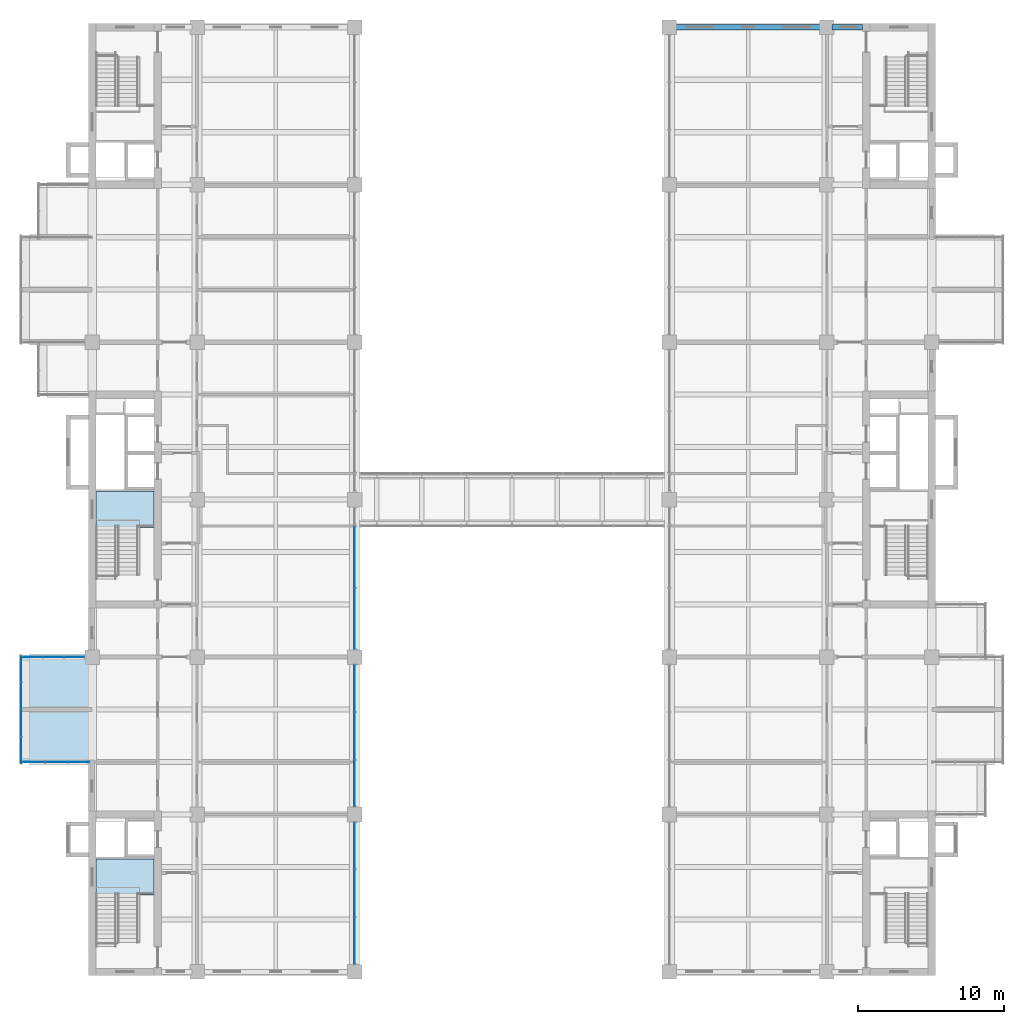
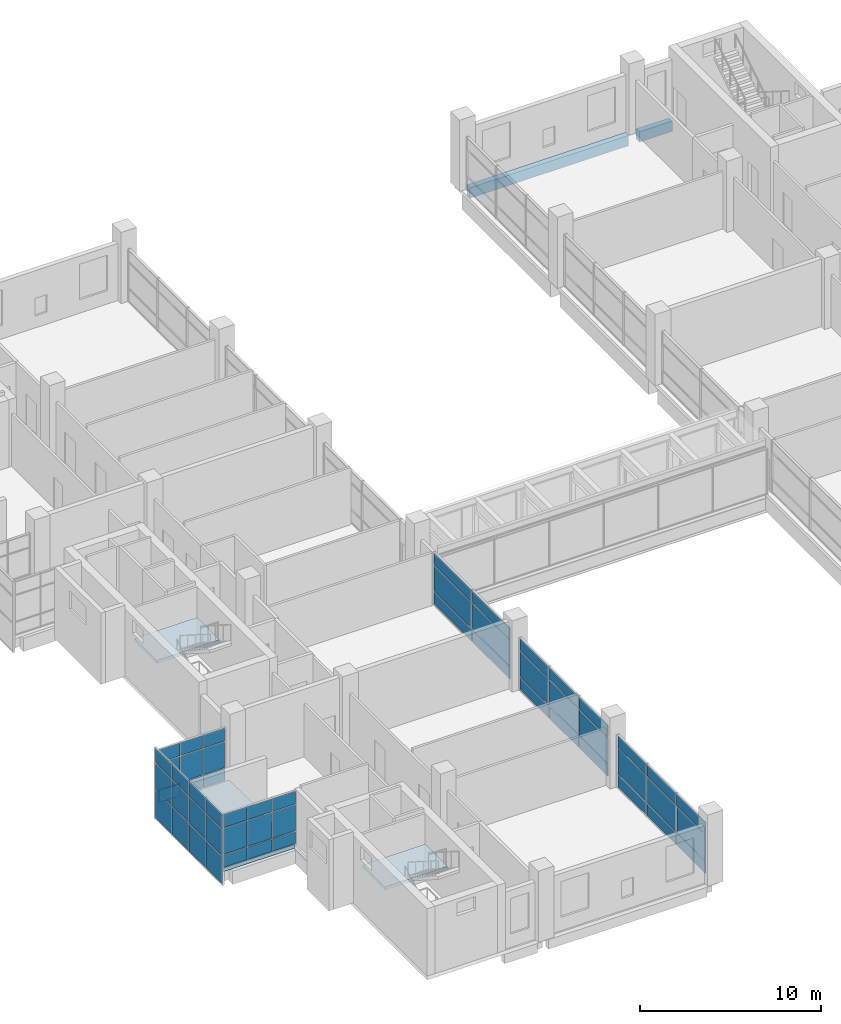
# One storey, part 20 of 35: 54 plates, 3 slabs, 2 beams, 8 elements without a shape of their own.
"""IFC4 building model written with IfcOpenShell, lengths in metres."""

from ifc_helpers import new_model, si_unit, direction, frame, origin, origin_2d, place, context, subcontext, project, spatial, polyline, rectangle, outline, extrude, material, layer, layer_set, material_profile, profile_set, type_object, element, aggregate, save


model = new_model("IFC4")

# Units and contexts
model_context = context("Model", 3, precision=1e-05, world=origin(), true_north=direction((0.0, 1.0)))
body_context = subcontext(model_context, "Body", "Model", "MODEL_VIEW")
ifc_project = project(units=[si_unit("LENGTHUNIT", "METRE"), si_unit("AREAUNIT", "SQUARE_METRE"), si_unit("VOLUMEUNIT", "CUBIC_METRE"), si_unit("PLANEANGLEUNIT", "RADIAN"), si_unit("MASSUNIT", "GRAM", prefix="KILO")], contexts=[model_context])

# Site, building, storey
site_placement = place(None, origin())
site = spatial("IfcSite", under=ifc_project, at=site_placement, CompositionType="ELEMENT")
building_placement = place(site_placement, origin())
building = spatial("IfcBuilding", under=site, at=building_placement, Name="Basin Gate Institute", CompositionType="ELEMENT")
storey_placement = place(building_placement, frame((0.0, 0.0, 31.800048828125)))
storey = spatial("IfcBuildingStorey", under=building, at=storey_placement, Name="L06", CompositionType="ELEMENT", Elevation=31.800048828125)

# Beams
ifc_material_1 = material(Name="Concrete 40 MPa", Category="concrete")
ifc_material_profile = material_profile(ifc_material_1, rectangle(XDim=0.35009765625, YDim=0.699951171875, at=origin_2d()), Name="Beam B1 350 x 700")
ifc_profile_set = profile_set([ifc_material_profile], Name="Concrete 40 MPa")
beam_type = type_object("IfcBeamType", Name="Beam B1 R120", PredefinedType="BEAM", material=ifc_profile_set)
beam_1_placement = place(storey_placement, frame((111.25, 99.89990234375, -0.60009765625), z_axis=(-1.0, 0.0, 0.0), x_axis=(0.0, -1.0, 0.0)))
element("IfcBeam", 1, at=beam_1_placement, inside=storey, type_object=beam_type, material=ifc_profile_set, Name="BEAM/L06/E/EW/19", PredefinedType="BEAM", context=body_context, shape_type="SweptSolid", body=[
    extrude(rectangle(XDim=0.35009765625, YDim=0.699951171875, at=origin_2d()), origin(), (0.0, 0.0, 1.0), 10.10009765625),
])
beam_2_placement = place(storey_placement, frame((114.050048828125, 99.89990234375, -0.60009765625), z_axis=(-1.0, 0.0, 0.0), x_axis=(0.0, -1.0, 0.0)))
element("IfcBeam", 2, at=beam_2_placement, inside=storey, type_object=beam_type, material=ifc_profile_set, Name="BEAM/L06/E/CORR/19", PredefinedType="BEAM", context=body_context, shape_type="SweptSolid", body=[
    extrude(rectangle(XDim=0.35009765625, YDim=0.699951171875, at=origin_2d()), origin(), (0.0, 0.0, 1.0), 2.10009765625),
])

# Slab
ifc_material_2 = material(Name="Concrete 40 MPa", Category="concrete")
ifc_layer_1 = layer(ifc_material_2, 0.25)
ifc_layer_set_1 = layer_set([ifc_layer_1], Name="Concrete 40 MPa")
slab_type_1 = type_object("IfcSlabType", Name="Slab SL4 R120", PredefinedType="FLOOR", material=ifc_layer_set_1)
slab_1_placement = place(storey_placement, frame((0.0, 0.0, -0.25)))
element("IfcSlab", 3, at=slab_1_placement, inside=storey, type_object=slab_type_1, material=ifc_layer_set_1, Name="SLAB/L06/WK12", PredefinedType="FLOOR", context=body_context, shape_type="SweptSolid", body=[
    extrude(outline(polyline([(60.949951171875, 49.5), (56.39990234375, 49.5), (56.39990234375, 56.699951171875), (60.949951171875, 56.699951171875), (60.949951171875, 49.5)])), origin(), (0.0, 0.0, 1.0), 0.25),
])

# Curtain wall, plates
ifc_material_3 = material(Name="Aluminium-framed glazing", Category="aluminium")
ifc_layer_2 = layer(ifc_material_3, 0.199951171875)
ifc_layer_set_2 = layer_set([ifc_layer_2], Name="Atrium curtain wall CW2")
curtain_wall_type_1 = type_object("IfcCurtainWallType", Name="Atrium curtain wall CW2", PredefinedType="NOTDEFINED", material=ifc_layer_set_2)
curtain_wall_1_placement = place(storey_placement, origin())
curtain_wall_1 = element("IfcCurtainWall", 4, at=curtain_wall_1_placement, inside=storey, type_object=curtain_wall_type_1, material=ifc_layer_set_2, Name="Atrium curtain wall W wing atrium bay 1 L06", PredefinedType="NOTDEFINED")
ifc_material_4 = material(Name="Aluminium insulated spandrel panel", Category="aluminium")
ifc_layer_3 = layer(ifc_material_4, 0.050048828125)
ifc_layer_set_3 = layer_set([ifc_layer_3], Name="Spandrel panel PN2")
plate_type_1 = type_object("IfcPlateType", Name="Spandrel panel PN2", PredefinedType="CURTAIN_PANEL", material=ifc_layer_set_3)
plate_1_placement = place(storey_placement, frame((79.199951171875, 37.248291015625, 0.059814453125), z_axis=(0.0, 0.0, 1.0), x_axis=(0.0, 1.0, 0.0)))
plate_1 = element("IfcPlate", 5, at=plate_1_placement, type_object=plate_type_1, material=ifc_layer_set_3, Name="CW2 spandrel panel 1.1", PredefinedType="CURTAIN_PANEL", context=body_context, shape_type="SweptSolid", body=[
    extrude(rectangle(XDim=3.1767578125, YDim=0.050048828125, at=origin_2d()), origin(), (0.0, 0.0, 1.0), 0.81005859375),
])
plate_2_placement = place(storey_placement, frame((79.199951171875, 37.248291015625, 2.72998046875), z_axis=(0.0, 0.0, 1.0), x_axis=(0.0, 1.0, 0.0)))
plate_2 = element("IfcPlate", 6, at=plate_2_placement, type_object=plate_type_1, material=ifc_layer_set_3, Name="CW2 spandrel panel 1.3", PredefinedType="CURTAIN_PANEL", context=body_context, shape_type="SweptSolid", body=[
    extrude(rectangle(XDim=3.1767578125, YDim=0.050048828125, at=origin_2d()), origin(), (0.0, 0.0, 1.0), 0.760009765625),
])
plate_3_placement = place(storey_placement, frame((79.199951171875, 40.5, 0.059814453125), z_axis=(0.0, 0.0, 1.0), x_axis=(0.0, 1.0, 0.0)))
plate_3 = element("IfcPlate", 7, at=plate_3_placement, type_object=plate_type_1, material=ifc_layer_set_3, Name="CW2 spandrel panel 2.1", PredefinedType="CURTAIN_PANEL", context=body_context, shape_type="SweptSolid", body=[
    extrude(rectangle(XDim=3.206787109375, YDim=0.050048828125, at=origin_2d()), origin(), (0.0, 0.0, 1.0), 0.81005859375),
])
plate_4_placement = place(storey_placement, frame((79.199951171875, 40.5, 2.72998046875), z_axis=(0.0, 0.0, 1.0), x_axis=(0.0, 1.0, 0.0)))
plate_4 = element("IfcPlate", 8, at=plate_4_placement, type_object=plate_type_1, material=ifc_layer_set_3, Name="CW2 spandrel panel 2.3", PredefinedType="CURTAIN_PANEL", context=body_context, shape_type="SweptSolid", body=[
    extrude(rectangle(XDim=3.206787109375, YDim=0.050048828125, at=origin_2d()), origin(), (0.0, 0.0, 1.0), 0.760009765625),
])
plate_5_placement = place(storey_placement, frame((79.199951171875, 43.751708984375, 0.059814453125), z_axis=(0.0, 0.0, 1.0), x_axis=(0.0, 1.0, 0.0)))
plate_5 = element("IfcPlate", 9, at=plate_5_placement, type_object=plate_type_1, material=ifc_layer_set_3, Name="CW2 spandrel panel 3.1", PredefinedType="CURTAIN_PANEL", context=body_context, shape_type="SweptSolid", body=[
    extrude(rectangle(XDim=3.1767578125, YDim=0.050048828125, at=origin_2d()), origin(), (0.0, 0.0, 1.0), 0.81005859375),
])
plate_6_placement = place(storey_placement, frame((79.199951171875, 43.751708984375, 2.72998046875), z_axis=(0.0, 0.0, 1.0), x_axis=(0.0, 1.0, 0.0)))
plate_6 = element("IfcPlate", 10, at=plate_6_placement, type_object=plate_type_1, material=ifc_layer_set_3, Name="CW2 spandrel panel 3.3", PredefinedType="CURTAIN_PANEL", context=body_context, shape_type="SweptSolid", body=[
    extrude(rectangle(XDim=3.1767578125, YDim=0.050048828125, at=origin_2d()), origin(), (0.0, 0.0, 1.0), 0.760009765625),
])

curtain_wall_2_placement = place(storey_placement, origin())
curtain_wall_2 = element("IfcCurtainWall", 11, at=curtain_wall_2_placement, inside=storey, type_object=curtain_wall_type_1, material=ifc_layer_set_2, Name="Atrium curtain wall W wing atrium bay 2 L06", PredefinedType="NOTDEFINED")
plate_7_placement = place(storey_placement, frame((79.199951171875, 48.04833984375, 0.059814453125), z_axis=(0.0, 0.0, 1.0), x_axis=(0.0, 1.0, 0.0)))
plate_7 = element("IfcPlate", 12, at=plate_7_placement, type_object=plate_type_1, material=ifc_layer_set_3, Name="CW2 spandrel panel 1.1", PredefinedType="CURTAIN_PANEL", context=body_context, shape_type="SweptSolid", body=[
    extrude(rectangle(XDim=3.1767578125, YDim=0.050048828125, at=origin_2d()), origin(), (0.0, 0.0, 1.0), 0.81005859375),
])
plate_8_placement = place(storey_placement, frame((79.199951171875, 48.04833984375, 2.72998046875), z_axis=(0.0, 0.0, 1.0), x_axis=(0.0, 1.0, 0.0)))
plate_8 = element("IfcPlate", 13, at=plate_8_placement, type_object=plate_type_1, material=ifc_layer_set_3, Name="CW2 spandrel panel 1.3", PredefinedType="CURTAIN_PANEL", context=body_context, shape_type="SweptSolid", body=[
    extrude(rectangle(XDim=3.1767578125, YDim=0.050048828125, at=origin_2d()), origin(), (0.0, 0.0, 1.0), 0.760009765625),
])
plate_9_placement = place(storey_placement, frame((79.199951171875, 51.300048828125, 0.059814453125), z_axis=(0.0, 0.0, 1.0), x_axis=(0.0, 1.0, 0.0)))
plate_9 = element("IfcPlate", 14, at=plate_9_placement, type_object=plate_type_1, material=ifc_layer_set_3, Name="CW2 spandrel panel 2.1", PredefinedType="CURTAIN_PANEL", context=body_context, shape_type="SweptSolid", body=[
    extrude(rectangle(XDim=3.206787109375, YDim=0.050048828125, at=origin_2d()), origin(), (0.0, 0.0, 1.0), 0.81005859375),
])
plate_10_placement = place(storey_placement, frame((79.199951171875, 51.300048828125, 2.72998046875), z_axis=(0.0, 0.0, 1.0), x_axis=(0.0, 1.0, 0.0)))
plate_10 = element("IfcPlate", 15, at=plate_10_placement, type_object=plate_type_1, material=ifc_layer_set_3, Name="CW2 spandrel panel 2.3", PredefinedType="CURTAIN_PANEL", context=body_context, shape_type="SweptSolid", body=[
    extrude(rectangle(XDim=3.206787109375, YDim=0.050048828125, at=origin_2d()), origin(), (0.0, 0.0, 1.0), 0.760009765625),
])
plate_11_placement = place(storey_placement, frame((79.199951171875, 54.5517578125, 0.059814453125), z_axis=(0.0, 0.0, 1.0), x_axis=(0.0, 1.0, 0.0)))
plate_11 = element("IfcPlate", 16, at=plate_11_placement, type_object=plate_type_1, material=ifc_layer_set_3, Name="CW2 spandrel panel 3.1", PredefinedType="CURTAIN_PANEL", context=body_context, shape_type="SweptSolid", body=[
    extrude(rectangle(XDim=3.1767578125, YDim=0.050048828125, at=origin_2d()), origin(), (0.0, 0.0, 1.0), 0.81005859375),
])
plate_12_placement = place(storey_placement, frame((79.199951171875, 54.5517578125, 2.72998046875), z_axis=(0.0, 0.0, 1.0), x_axis=(0.0, 1.0, 0.0)))
plate_12 = element("IfcPlate", 17, at=plate_12_placement, type_object=plate_type_1, material=ifc_layer_set_3, Name="CW2 spandrel panel 3.3", PredefinedType="CURTAIN_PANEL", context=body_context, shape_type="SweptSolid", body=[
    extrude(rectangle(XDim=3.1767578125, YDim=0.050048828125, at=origin_2d()), origin(), (0.0, 0.0, 1.0), 0.760009765625),
])

curtain_wall_3_placement = place(storey_placement, origin())
curtain_wall_3 = element("IfcCurtainWall", 18, at=curtain_wall_3_placement, inside=storey, type_object=curtain_wall_type_1, material=ifc_layer_set_2, Name="Atrium curtain wall W wing atrium bay 3 L06 part 1", PredefinedType="NOTDEFINED")
plate_13_placement = place(storey_placement, frame((79.199951171875, 59.340087890625, 0.059814453125), z_axis=(0.0, 0.0, 1.0), x_axis=(0.0, 1.0, 0.0)))
plate_13 = element("IfcPlate", 19, at=plate_13_placement, type_object=plate_type_1, material=ifc_layer_set_3, Name="CW2 spandrel panel 1.1", PredefinedType="CURTAIN_PANEL", context=body_context, shape_type="SweptSolid", body=[
    extrude(rectangle(XDim=4.159912109375, YDim=0.050048828125, at=origin_2d()), origin(), (0.0, 0.0, 1.0), 0.81005859375),
])
plate_14_placement = place(storey_placement, frame((79.199951171875, 59.340087890625, 2.72998046875), z_axis=(0.0, 0.0, 1.0), x_axis=(0.0, 1.0, 0.0)))
plate_14 = element("IfcPlate", 20, at=plate_14_placement, type_object=plate_type_1, material=ifc_layer_set_3, Name="CW2 spandrel panel 1.3", PredefinedType="CURTAIN_PANEL", context=body_context, shape_type="SweptSolid", body=[
    extrude(rectangle(XDim=4.159912109375, YDim=0.050048828125, at=origin_2d()), origin(), (0.0, 0.0, 1.0), 0.760009765625),
])
plate_15_placement = place(storey_placement, frame((79.199951171875, 63.56005859375, 0.059814453125), z_axis=(0.0, 0.0, 1.0), x_axis=(0.0, 1.0, 0.0)))
plate_15 = element("IfcPlate", 21, at=plate_15_placement, type_object=plate_type_1, material=ifc_layer_set_3, Name="CW2 spandrel panel 2.1", PredefinedType="CURTAIN_PANEL", context=body_context, shape_type="SweptSolid", body=[
    extrude(rectangle(XDim=4.159912109375, YDim=0.050048828125, at=origin_2d()), origin(), (0.0, 0.0, 1.0), 0.81005859375),
])
plate_16_placement = place(storey_placement, frame((79.199951171875, 63.56005859375, 2.72998046875), z_axis=(0.0, 0.0, 1.0), x_axis=(0.0, 1.0, 0.0)))
plate_16 = element("IfcPlate", 22, at=plate_16_placement, type_object=plate_type_1, material=ifc_layer_set_3, Name="CW2 spandrel panel 2.3", PredefinedType="CURTAIN_PANEL", context=body_context, shape_type="SweptSolid", body=[
    extrude(rectangle(XDim=4.159912109375, YDim=0.050048828125, at=origin_2d()), origin(), (0.0, 0.0, 1.0), 0.760009765625),
])

ifc_material_5 = material(Name="Aluminium-framed glazing", Category="aluminium")
ifc_layer_4 = layer(ifc_material_5, 0.14990234375)
ifc_layer_set_4 = layer_set([ifc_layer_4], Name="Capsule front curtain wall CW1")
curtain_wall_type_2 = type_object("IfcCurtainWallType", Name="Capsule front curtain wall CW1", PredefinedType="NOTDEFINED", material=ifc_layer_set_4)
curtain_wall_4_placement = place(storey_placement, origin())
curtain_wall_4 = element("IfcCurtainWall", 23, at=curtain_wall_4_placement, inside=storey, type_object=curtain_wall_type_2, material=ifc_layer_set_4, Name="Capsule front curtain wall W wing capsule end L06 line 5", PredefinedType="NOTDEFINED")
plate_17_placement = place(storey_placement, frame((57.1875, 49.5, 0.059814453125), z_axis=(0.0, 0.0, 1.0), x_axis=(1.0, 0.0, 0.0)))
plate_17 = element("IfcPlate", 24, at=plate_17_placement, type_object=plate_type_1, material=ifc_layer_set_3, Name="CW1 spandrel panel 1.1", PredefinedType="CURTAIN_PANEL", context=body_context, shape_type="SweptSolid", body=[
    extrude(rectangle(XDim=1.47509765625, YDim=0.050048828125, at=origin_2d()), origin(), (0.0, 0.0, 1.0), 0.81005859375),
])
plate_18_placement = place(storey_placement, frame((58.72509765625, 49.5, 0.059814453125), z_axis=(0.0, 0.0, 1.0), x_axis=(1.0, 0.0, 0.0)))
plate_18 = element("IfcPlate", 25, at=plate_18_placement, type_object=plate_type_1, material=ifc_layer_set_3, Name="CW1 spandrel panel 2.1", PredefinedType="CURTAIN_PANEL", context=body_context, shape_type="SweptSolid", body=[
    extrude(rectangle(XDim=1.5, YDim=0.050048828125, at=origin_2d()), origin(), (0.0, 0.0, 1.0), 0.81005859375),
])
plate_19_placement = place(storey_placement, frame((60.262451171875, 49.5, 0.059814453125), z_axis=(0.0, 0.0, 1.0), x_axis=(1.0, 0.0, 0.0)))
plate_19 = element("IfcPlate", 26, at=plate_19_placement, type_object=plate_type_1, material=ifc_layer_set_3, Name="CW1 spandrel panel 3.1", PredefinedType="CURTAIN_PANEL", context=body_context, shape_type="SweptSolid", body=[
    extrude(rectangle(XDim=1.47509765625, YDim=0.050048828125, at=origin_2d()), origin(), (0.0, 0.0, 1.0), 0.81005859375),
])

curtain_wall_5_placement = place(storey_placement, origin())
curtain_wall_5 = element("IfcCurtainWall", 27, at=curtain_wall_5_placement, inside=storey, type_object=curtain_wall_type_2, material=ifc_layer_set_4, Name="Capsule front curtain wall W wing capsule end L06 line 7", PredefinedType="NOTDEFINED")
plate_20_placement = place(storey_placement, frame((57.129150390625, 56.699951171875, 0.059814453125), z_axis=(0.0, 0.0, 1.0), x_axis=(1.0, 0.0, 0.0)))
plate_20 = element("IfcPlate", 28, at=plate_20_placement, type_object=plate_type_1, material=ifc_layer_set_3, Name="CW1 spandrel panel 1.1", PredefinedType="CURTAIN_PANEL", context=body_context, shape_type="SweptSolid", body=[
    extrude(rectangle(XDim=1.3583984375, YDim=0.050048828125, at=origin_2d()), origin(), (0.0, 0.0, 1.0), 0.81005859375),
])
plate_21_placement = place(storey_placement, frame((58.550048828125, 56.699951171875, 0.059814453125), z_axis=(0.0, 0.0, 1.0), x_axis=(1.0, 0.0, 0.0)))
plate_21 = element("IfcPlate", 29, at=plate_21_placement, type_object=plate_type_1, material=ifc_layer_set_3, Name="CW1 spandrel panel 2.1", PredefinedType="CURTAIN_PANEL", context=body_context, shape_type="SweptSolid", body=[
    extrude(rectangle(XDim=1.38330078125, YDim=0.050048828125, at=origin_2d()), origin(), (0.0, 0.0, 1.0), 0.81005859375),
])
plate_22_placement = place(storey_placement, frame((59.970947265625, 56.699951171875, 0.059814453125), z_axis=(0.0, 0.0, 1.0), x_axis=(1.0, 0.0, 0.0)))
plate_22 = element("IfcPlate", 30, at=plate_22_placement, type_object=plate_type_1, material=ifc_layer_set_3, Name="CW1 spandrel panel 3.1", PredefinedType="CURTAIN_PANEL", context=body_context, shape_type="SweptSolid", body=[
    extrude(rectangle(XDim=1.3583984375, YDim=0.050048828125, at=origin_2d()), origin(), (0.0, 0.0, 1.0), 0.81005859375),
])

curtain_wall_6_placement = place(storey_placement, origin())
curtain_wall_6 = element("IfcCurtainWall", 31, at=curtain_wall_6_placement, inside=storey, type_object=curtain_wall_type_2, material=ifc_layer_set_4, Name="Capsule front curtain wall W wing capsule 1 L06 front 2", PredefinedType="NOTDEFINED")
plate_23_placement = place(storey_placement, frame((56.324951171875, 50.300048828125, -0.990234375), z_axis=(0.0, 0.0, 1.0), x_axis=(0.0, 1.0, 0.0)))
plate_23 = element("IfcPlate", 32, at=plate_23_placement, type_object=plate_type_1, material=ifc_layer_set_3, Name="CW1 spandrel panel 1.1", PredefinedType="CURTAIN_PANEL", context=body_context, shape_type="SweptSolid", body=[
    extrude(rectangle(XDim=1.800048828125, YDim=0.050048828125, at=origin_2d()), origin(), (0.0, 0.0, 1.0), 1.860107421875),
])
plate_24_placement = place(storey_placement, frame((56.324951171875, 52.16259765625, -0.990234375), z_axis=(0.0, 0.0, 1.0), x_axis=(0.0, 1.0, 0.0)))
plate_24 = element("IfcPlate", 33, at=plate_24_placement, type_object=plate_type_1, material=ifc_layer_set_3, Name="CW1 spandrel panel 2.1", PredefinedType="CURTAIN_PANEL", context=body_context, shape_type="SweptSolid", body=[
    extrude(rectangle(XDim=1.824951171875, YDim=0.050048828125, at=origin_2d()), origin(), (0.0, 0.0, 1.0), 1.860107421875),
])
plate_25_placement = place(storey_placement, frame((56.324951171875, 54.03759765625, -0.990234375), z_axis=(0.0, 0.0, 1.0), x_axis=(0.0, 1.0, 0.0)))
plate_25 = element("IfcPlate", 34, at=plate_25_placement, type_object=plate_type_1, material=ifc_layer_set_3, Name="CW1 spandrel panel 3.1", PredefinedType="CURTAIN_PANEL", context=body_context, shape_type="SweptSolid", body=[
    extrude(rectangle(XDim=1.824951171875, YDim=0.050048828125, at=origin_2d()), origin(), (0.0, 0.0, 1.0), 1.860107421875),
])
plate_26_placement = place(storey_placement, frame((56.324951171875, 55.89990234375, -0.990234375), z_axis=(0.0, 0.0, 1.0), x_axis=(0.0, 1.0, 0.0)))
plate_26 = element("IfcPlate", 35, at=plate_26_placement, type_object=plate_type_1, material=ifc_layer_set_3, Name="CW1 spandrel panel 4.1", PredefinedType="CURTAIN_PANEL", context=body_context, shape_type="SweptSolid", body=[
    extrude(rectangle(XDim=1.800048828125, YDim=0.050048828125, at=origin_2d()), origin(), (0.0, 0.0, 1.0), 1.860107421875),
])

# Stair, slab
ifc_material_6 = material(Name="Concrete 40 MPa", Category="concrete")
stair_type = type_object("IfcStairType", Name="Stair ST", PredefinedType="HALF_TURN_STAIR", material=ifc_material_6)
stair_1_placement = place(storey_placement, origin())
stair_1 = element("IfcStair", 36, at=stair_1_placement, inside=storey, type_object=stair_type, material=ifc_material_6, Name="Special safe stair ST-WS L06", PredefinedType="HALF_TURN_STAIR")
ifc_material_7 = material(Name="Concrete 40 MPa", Category="concrete")
ifc_layer_5 = layer(ifc_material_7, 0.199951171875)
ifc_layer_set_5 = layer_set([ifc_layer_5], Name="Concrete 40 MPa")
slab_type_2 = type_object("IfcSlabType", Name="Stair landing LN REI 120", PredefinedType="LANDING", material=ifc_layer_set_5)
slab_2_placement = place(storey_placement, frame((0.0, 0.0, 2.288818359375)))
slab_2 = element("IfcSlab", 37, at=slab_2_placement, type_object=slab_type_2, material=ifc_layer_set_5, Name="Stair landing ST-WS-L1 L06", PredefinedType="LANDING", context=body_context, shape_type="SweptSolid", body=[
    extrude(outline(polyline([(61.449951171875, 40.3701171875), (65.449951171875, 40.3701171875), (65.449951171875, 42.85009765625), (61.449951171875, 42.85009765625), (61.449951171875, 40.3701171875)])), origin(), (0.0, 0.0, 1.0), 0.199951171875),
])
aggregate(stair_1, [slab_2])

stair_2_placement = place(storey_placement, origin())
stair_2 = element("IfcStair", 38, at=stair_2_placement, inside=storey, type_object=stair_type, material=ifc_material_6, Name="Special safe stair ST-WM L06", PredefinedType="HALF_TURN_STAIR")
slab_3_placement = place(storey_placement, frame((0.0, 0.0, 2.288818359375)))
slab_3 = element("IfcSlab", 39, at=slab_3_placement, type_object=slab_type_2, material=ifc_layer_set_5, Name="Stair landing ST-WM-L1 L06", PredefinedType="LANDING", context=body_context, shape_type="SweptSolid", body=[
    extrude(outline(polyline([(61.449951171875, 65.570068359375), (65.449951171875, 65.570068359375), (65.449951171875, 68.050048828125), (61.449951171875, 68.050048828125), (61.449951171875, 65.570068359375)])), origin(), (0.0, 0.0, 1.0), 0.199951171875),
])
aggregate(stair_2, [slab_3])

# Plate
ifc_material_8 = material(Name="Double glazed unit")
ifc_layer_6 = layer(ifc_material_8, 0.028076171875)
ifc_layer_set_6 = layer_set([ifc_layer_6], Name="Vision panel PN1")
plate_type_2 = type_object("IfcPlateType", Name="Vision panel PN1", PredefinedType="CURTAIN_PANEL", material=ifc_layer_set_6)
plate_27_placement = place(storey_placement, frame((79.199951171875, 37.248291015625, 0.93017578125), z_axis=(0.0, 0.0, 1.0), x_axis=(0.0, 1.0, 0.0)))
plate_27 = element("IfcPlate", 40, at=plate_27_placement, type_object=plate_type_2, material=ifc_layer_set_6, Name="CW2 vision panel 1.2", PredefinedType="CURTAIN_PANEL", context=body_context, shape_type="SweptSolid", body=[
    extrude(rectangle(XDim=3.1767578125, YDim=0.028076171875, at=origin_2d()), origin(), (0.0, 0.0, 1.0), 1.739990234375),
])

plate_28_placement = place(storey_placement, frame((79.199951171875, 40.5, 0.93017578125), z_axis=(0.0, 0.0, 1.0), x_axis=(0.0, 1.0, 0.0)))
plate_28 = element("IfcPlate", 41, at=plate_28_placement, type_object=plate_type_2, material=ifc_layer_set_6, Name="CW2 vision panel 2.2", PredefinedType="CURTAIN_PANEL", context=body_context, shape_type="SweptSolid", body=[
    extrude(rectangle(XDim=3.206787109375, YDim=0.028076171875, at=origin_2d()), origin(), (0.0, 0.0, 1.0), 1.739990234375),
])

plate_29_placement = place(storey_placement, frame((79.199951171875, 43.751708984375, 0.93017578125), z_axis=(0.0, 0.0, 1.0), x_axis=(0.0, 1.0, 0.0)))
plate_29 = element("IfcPlate", 42, at=plate_29_placement, type_object=plate_type_2, material=ifc_layer_set_6, Name="CW2 vision panel 3.2", PredefinedType="CURTAIN_PANEL", context=body_context, shape_type="SweptSolid", body=[
    extrude(rectangle(XDim=3.1767578125, YDim=0.028076171875, at=origin_2d()), origin(), (0.0, 0.0, 1.0), 1.739990234375),
])

aggregate(curtain_wall_1, [plate_1, plate_27, plate_2, plate_3, plate_28, plate_4, plate_5, plate_29, plate_6])

plate_30_placement = place(storey_placement, frame((79.199951171875, 48.04833984375, 0.93017578125), z_axis=(0.0, 0.0, 1.0), x_axis=(0.0, 1.0, 0.0)))
plate_30 = element("IfcPlate", 43, at=plate_30_placement, type_object=plate_type_2, material=ifc_layer_set_6, Name="CW2 vision panel 1.2", PredefinedType="CURTAIN_PANEL", context=body_context, shape_type="SweptSolid", body=[
    extrude(rectangle(XDim=3.1767578125, YDim=0.028076171875, at=origin_2d()), origin(), (0.0, 0.0, 1.0), 1.739990234375),
])

plate_31_placement = place(storey_placement, frame((79.199951171875, 51.300048828125, 0.93017578125), z_axis=(0.0, 0.0, 1.0), x_axis=(0.0, 1.0, 0.0)))
plate_31 = element("IfcPlate", 44, at=plate_31_placement, type_object=plate_type_2, material=ifc_layer_set_6, Name="CW2 vision panel 2.2", PredefinedType="CURTAIN_PANEL", context=body_context, shape_type="SweptSolid", body=[
    extrude(rectangle(XDim=3.206787109375, YDim=0.028076171875, at=origin_2d()), origin(), (0.0, 0.0, 1.0), 1.739990234375),
])

plate_32_placement = place(storey_placement, frame((79.199951171875, 54.5517578125, 0.93017578125), z_axis=(0.0, 0.0, 1.0), x_axis=(0.0, 1.0, 0.0)))
plate_32 = element("IfcPlate", 45, at=plate_32_placement, type_object=plate_type_2, material=ifc_layer_set_6, Name="CW2 vision panel 3.2", PredefinedType="CURTAIN_PANEL", context=body_context, shape_type="SweptSolid", body=[
    extrude(rectangle(XDim=3.1767578125, YDim=0.028076171875, at=origin_2d()), origin(), (0.0, 0.0, 1.0), 1.739990234375),
])

aggregate(curtain_wall_2, [plate_7, plate_30, plate_8, plate_9, plate_31, plate_10, plate_11, plate_32, plate_12])

plate_33_placement = place(storey_placement, frame((79.199951171875, 59.340087890625, 0.93017578125), z_axis=(0.0, 0.0, 1.0), x_axis=(0.0, 1.0, 0.0)))
plate_33 = element("IfcPlate", 46, at=plate_33_placement, type_object=plate_type_2, material=ifc_layer_set_6, Name="CW2 vision panel 1.2", PredefinedType="CURTAIN_PANEL", context=body_context, shape_type="SweptSolid", body=[
    extrude(rectangle(XDim=4.159912109375, YDim=0.028076171875, at=origin_2d()), origin(), (0.0, 0.0, 1.0), 1.739990234375),
])

plate_34_placement = place(storey_placement, frame((79.199951171875, 63.56005859375, 0.93017578125), z_axis=(0.0, 0.0, 1.0), x_axis=(0.0, 1.0, 0.0)))
plate_34 = element("IfcPlate", 47, at=plate_34_placement, type_object=plate_type_2, material=ifc_layer_set_6, Name="CW2 vision panel 2.2", PredefinedType="CURTAIN_PANEL", context=body_context, shape_type="SweptSolid", body=[
    extrude(rectangle(XDim=4.159912109375, YDim=0.028076171875, at=origin_2d()), origin(), (0.0, 0.0, 1.0), 1.739990234375),
])

aggregate(curtain_wall_3, [plate_13, plate_33, plate_14, plate_15, plate_34, plate_16])

plate_35_placement = place(storey_placement, frame((57.1875, 49.5, 0.93017578125), z_axis=(0.0, 0.0, 1.0), x_axis=(1.0, 0.0, 0.0)))
plate_35 = element("IfcPlate", 48, at=plate_35_placement, type_object=plate_type_2, material=ifc_layer_set_6, Name="CW1 vision panel 1.2", PredefinedType="CURTAIN_PANEL", context=body_context, shape_type="SweptSolid", body=[
    extrude(rectangle(XDim=1.47509765625, YDim=0.028076171875, at=origin_2d()), origin(), (0.0, 0.0, 1.0), 1.739990234375),
])

plate_36_placement = place(storey_placement, frame((57.1875, 49.5, 2.72998046875), z_axis=(0.0, 0.0, 1.0), x_axis=(1.0, 0.0, 0.0)))
plate_36 = element("IfcPlate", 49, at=plate_36_placement, type_object=plate_type_2, material=ifc_layer_set_6, Name="CW1 vision panel 1.3", PredefinedType="CURTAIN_PANEL", context=body_context, shape_type="SweptSolid", body=[
    extrude(rectangle(XDim=1.47509765625, YDim=0.028076171875, at=origin_2d()), origin(), (0.0, 0.0, 1.0), 0.860107421875),
])

plate_37_placement = place(storey_placement, frame((58.72509765625, 49.5, 0.93017578125), z_axis=(0.0, 0.0, 1.0), x_axis=(1.0, 0.0, 0.0)))
plate_37 = element("IfcPlate", 50, at=plate_37_placement, type_object=plate_type_2, material=ifc_layer_set_6, Name="CW1 vision panel 2.2", PredefinedType="CURTAIN_PANEL", context=body_context, shape_type="SweptSolid", body=[
    extrude(rectangle(XDim=1.5, YDim=0.028076171875, at=origin_2d()), origin(), (0.0, 0.0, 1.0), 1.739990234375),
])

plate_38_placement = place(storey_placement, frame((58.72509765625, 49.5, 2.72998046875), z_axis=(0.0, 0.0, 1.0), x_axis=(1.0, 0.0, 0.0)))
plate_38 = element("IfcPlate", 51, at=plate_38_placement, type_object=plate_type_2, material=ifc_layer_set_6, Name="CW1 vision panel 2.3", PredefinedType="CURTAIN_PANEL", context=body_context, shape_type="SweptSolid", body=[
    extrude(rectangle(XDim=1.5, YDim=0.028076171875, at=origin_2d()), origin(), (0.0, 0.0, 1.0), 0.860107421875),
])

plate_39_placement = place(storey_placement, frame((60.262451171875, 49.5, 0.93017578125), z_axis=(0.0, 0.0, 1.0), x_axis=(1.0, 0.0, 0.0)))
plate_39 = element("IfcPlate", 52, at=plate_39_placement, type_object=plate_type_2, material=ifc_layer_set_6, Name="CW1 vision panel 3.2", PredefinedType="CURTAIN_PANEL", context=body_context, shape_type="SweptSolid", body=[
    extrude(rectangle(XDim=1.47509765625, YDim=0.028076171875, at=origin_2d()), origin(), (0.0, 0.0, 1.0), 1.739990234375),
])

plate_40_placement = place(storey_placement, frame((60.262451171875, 49.5, 2.72998046875), z_axis=(0.0, 0.0, 1.0), x_axis=(1.0, 0.0, 0.0)))
plate_40 = element("IfcPlate", 53, at=plate_40_placement, type_object=plate_type_2, material=ifc_layer_set_6, Name="CW1 vision panel 3.3", PredefinedType="CURTAIN_PANEL", context=body_context, shape_type="SweptSolid", body=[
    extrude(rectangle(XDim=1.47509765625, YDim=0.028076171875, at=origin_2d()), origin(), (0.0, 0.0, 1.0), 0.860107421875),
])

aggregate(curtain_wall_4, [plate_17, plate_35, plate_36, plate_18, plate_37, plate_38, plate_19, plate_39, plate_40])

plate_41_placement = place(storey_placement, frame((57.129150390625, 56.699951171875, 0.93017578125), z_axis=(0.0, 0.0, 1.0), x_axis=(1.0, 0.0, 0.0)))
plate_41 = element("IfcPlate", 54, at=plate_41_placement, type_object=plate_type_2, material=ifc_layer_set_6, Name="CW1 vision panel 1.2", PredefinedType="CURTAIN_PANEL", context=body_context, shape_type="SweptSolid", body=[
    extrude(rectangle(XDim=1.3583984375, YDim=0.028076171875, at=origin_2d()), origin(), (0.0, 0.0, 1.0), 1.739990234375),
])

plate_42_placement = place(storey_placement, frame((57.129150390625, 56.699951171875, 2.72998046875), z_axis=(0.0, 0.0, 1.0), x_axis=(1.0, 0.0, 0.0)))
plate_42 = element("IfcPlate", 55, at=plate_42_placement, type_object=plate_type_2, material=ifc_layer_set_6, Name="CW1 vision panel 1.3", PredefinedType="CURTAIN_PANEL", context=body_context, shape_type="SweptSolid", body=[
    extrude(rectangle(XDim=1.3583984375, YDim=0.028076171875, at=origin_2d()), origin(), (0.0, 0.0, 1.0), 0.860107421875),
])

plate_43_placement = place(storey_placement, frame((58.550048828125, 56.699951171875, 0.93017578125), z_axis=(0.0, 0.0, 1.0), x_axis=(1.0, 0.0, 0.0)))
plate_43 = element("IfcPlate", 56, at=plate_43_placement, type_object=plate_type_2, material=ifc_layer_set_6, Name="CW1 vision panel 2.2", PredefinedType="CURTAIN_PANEL", context=body_context, shape_type="SweptSolid", body=[
    extrude(rectangle(XDim=1.38330078125, YDim=0.028076171875, at=origin_2d()), origin(), (0.0, 0.0, 1.0), 1.739990234375),
])

plate_44_placement = place(storey_placement, frame((58.550048828125, 56.699951171875, 2.72998046875), z_axis=(0.0, 0.0, 1.0), x_axis=(1.0, 0.0, 0.0)))
plate_44 = element("IfcPlate", 57, at=plate_44_placement, type_object=plate_type_2, material=ifc_layer_set_6, Name="CW1 vision panel 2.3", PredefinedType="CURTAIN_PANEL", context=body_context, shape_type="SweptSolid", body=[
    extrude(rectangle(XDim=1.38330078125, YDim=0.028076171875, at=origin_2d()), origin(), (0.0, 0.0, 1.0), 0.860107421875),
])

plate_45_placement = place(storey_placement, frame((59.970947265625, 56.699951171875, 0.93017578125), z_axis=(0.0, 0.0, 1.0), x_axis=(1.0, 0.0, 0.0)))
plate_45 = element("IfcPlate", 58, at=plate_45_placement, type_object=plate_type_2, material=ifc_layer_set_6, Name="CW1 vision panel 3.2", PredefinedType="CURTAIN_PANEL", context=body_context, shape_type="SweptSolid", body=[
    extrude(rectangle(XDim=1.3583984375, YDim=0.028076171875, at=origin_2d()), origin(), (0.0, 0.0, 1.0), 1.739990234375),
])

plate_46_placement = place(storey_placement, frame((59.970947265625, 56.699951171875, 2.72998046875), z_axis=(0.0, 0.0, 1.0), x_axis=(1.0, 0.0, 0.0)))
plate_46 = element("IfcPlate", 59, at=plate_46_placement, type_object=plate_type_2, material=ifc_layer_set_6, Name="CW1 vision panel 3.3", PredefinedType="CURTAIN_PANEL", context=body_context, shape_type="SweptSolid", body=[
    extrude(rectangle(XDim=1.3583984375, YDim=0.028076171875, at=origin_2d()), origin(), (0.0, 0.0, 1.0), 0.860107421875),
])

aggregate(curtain_wall_5, [plate_20, plate_41, plate_42, plate_21, plate_43, plate_44, plate_22, plate_45, plate_46])

plate_47_placement = place(storey_placement, frame((56.324951171875, 50.300048828125, 0.93017578125), z_axis=(0.0, 0.0, 1.0), x_axis=(0.0, 1.0, 0.0)))
plate_47 = element("IfcPlate", 60, at=plate_47_placement, type_object=plate_type_2, material=ifc_layer_set_6, Name="CW1 vision panel 1.2", PredefinedType="CURTAIN_PANEL", context=body_context, shape_type="SweptSolid", body=[
    extrude(rectangle(XDim=1.800048828125, YDim=0.028076171875, at=origin_2d()), origin(), (0.0, 0.0, 1.0), 1.739990234375),
])

plate_48_placement = place(storey_placement, frame((56.324951171875, 50.300048828125, 2.72998046875), z_axis=(0.0, 0.0, 1.0), x_axis=(0.0, 1.0, 0.0)))
plate_48 = element("IfcPlate", 61, at=plate_48_placement, type_object=plate_type_2, material=ifc_layer_set_6, Name="CW1 vision panel 1.3", PredefinedType="CURTAIN_PANEL", context=body_context, shape_type="SweptSolid", body=[
    extrude(rectangle(XDim=1.800048828125, YDim=0.028076171875, at=origin_2d()), origin(), (0.0, 0.0, 1.0), 0.9599609375),
])

plate_49_placement = place(storey_placement, frame((56.324951171875, 52.16259765625, 0.93017578125), z_axis=(0.0, 0.0, 1.0), x_axis=(0.0, 1.0, 0.0)))
plate_49 = element("IfcPlate", 62, at=plate_49_placement, type_object=plate_type_2, material=ifc_layer_set_6, Name="CW1 vision panel 2.2", PredefinedType="CURTAIN_PANEL", context=body_context, shape_type="SweptSolid", body=[
    extrude(rectangle(XDim=1.824951171875, YDim=0.028076171875, at=origin_2d()), origin(), (0.0, 0.0, 1.0), 1.739990234375),
])

plate_50_placement = place(storey_placement, frame((56.324951171875, 52.16259765625, 2.72998046875), z_axis=(0.0, 0.0, 1.0), x_axis=(0.0, 1.0, 0.0)))
plate_50 = element("IfcPlate", 63, at=plate_50_placement, type_object=plate_type_2, material=ifc_layer_set_6, Name="CW1 vision panel 2.3", PredefinedType="CURTAIN_PANEL", context=body_context, shape_type="SweptSolid", body=[
    extrude(rectangle(XDim=1.824951171875, YDim=0.028076171875, at=origin_2d()), origin(), (0.0, 0.0, 1.0), 0.9599609375),
])

plate_51_placement = place(storey_placement, frame((56.324951171875, 54.03759765625, 0.93017578125), z_axis=(0.0, 0.0, 1.0), x_axis=(0.0, 1.0, 0.0)))
plate_51 = element("IfcPlate", 64, at=plate_51_placement, type_object=plate_type_2, material=ifc_layer_set_6, Name="CW1 vision panel 3.2", PredefinedType="CURTAIN_PANEL", context=body_context, shape_type="SweptSolid", body=[
    extrude(rectangle(XDim=1.824951171875, YDim=0.028076171875, at=origin_2d()), origin(), (0.0, 0.0, 1.0), 1.739990234375),
])

plate_52_placement = place(storey_placement, frame((56.324951171875, 54.03759765625, 2.72998046875), z_axis=(0.0, 0.0, 1.0), x_axis=(0.0, 1.0, 0.0)))
plate_52 = element("IfcPlate", 65, at=plate_52_placement, type_object=plate_type_2, material=ifc_layer_set_6, Name="CW1 vision panel 3.3", PredefinedType="CURTAIN_PANEL", context=body_context, shape_type="SweptSolid", body=[
    extrude(rectangle(XDim=1.824951171875, YDim=0.028076171875, at=origin_2d()), origin(), (0.0, 0.0, 1.0), 0.9599609375),
])

plate_53_placement = place(storey_placement, frame((56.324951171875, 55.89990234375, 0.93017578125), z_axis=(0.0, 0.0, 1.0), x_axis=(0.0, 1.0, 0.0)))
plate_53 = element("IfcPlate", 66, at=plate_53_placement, type_object=plate_type_2, material=ifc_layer_set_6, Name="CW1 vision panel 4.2", PredefinedType="CURTAIN_PANEL", context=body_context, shape_type="SweptSolid", body=[
    extrude(rectangle(XDim=1.800048828125, YDim=0.028076171875, at=origin_2d()), origin(), (0.0, 0.0, 1.0), 1.739990234375),
])

plate_54_placement = place(storey_placement, frame((56.324951171875, 55.89990234375, 2.72998046875), z_axis=(0.0, 0.0, 1.0), x_axis=(0.0, 1.0, 0.0)))
plate_54 = element("IfcPlate", 67, at=plate_54_placement, type_object=plate_type_2, material=ifc_layer_set_6, Name="CW1 vision panel 4.3", PredefinedType="CURTAIN_PANEL", context=body_context, shape_type="SweptSolid", body=[
    extrude(rectangle(XDim=1.800048828125, YDim=0.028076171875, at=origin_2d()), origin(), (0.0, 0.0, 1.0), 0.9599609375),
])

aggregate(curtain_wall_6, [plate_23, plate_47, plate_48, plate_24, plate_49, plate_50, plate_25, plate_51, plate_52, plate_26, plate_53, plate_54])

save(model, "model.ifc")
